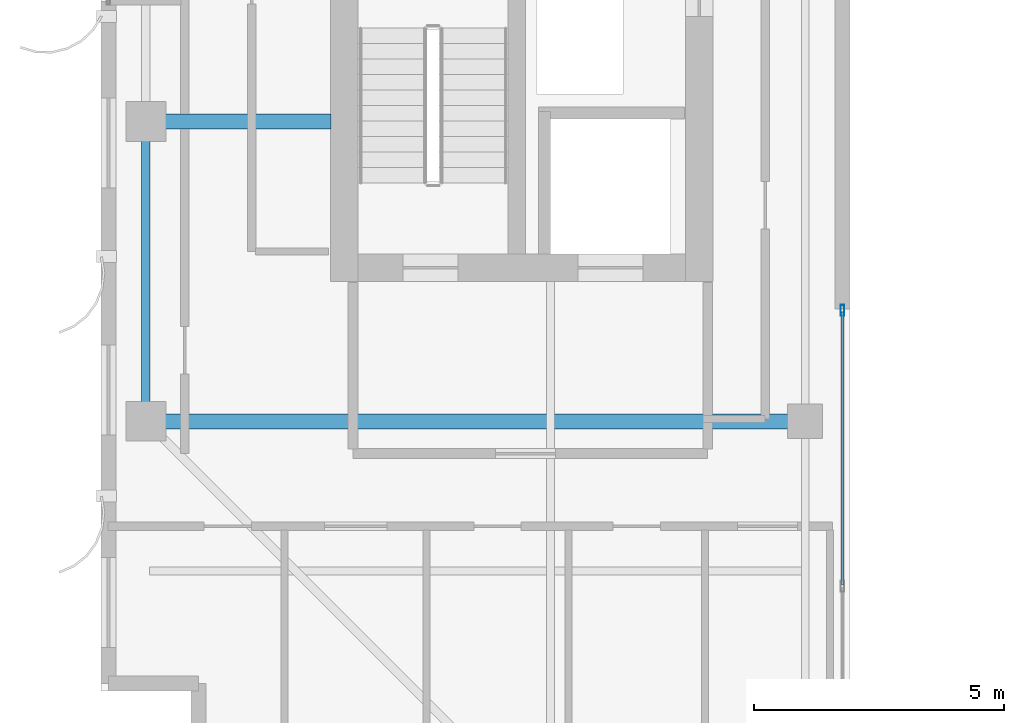
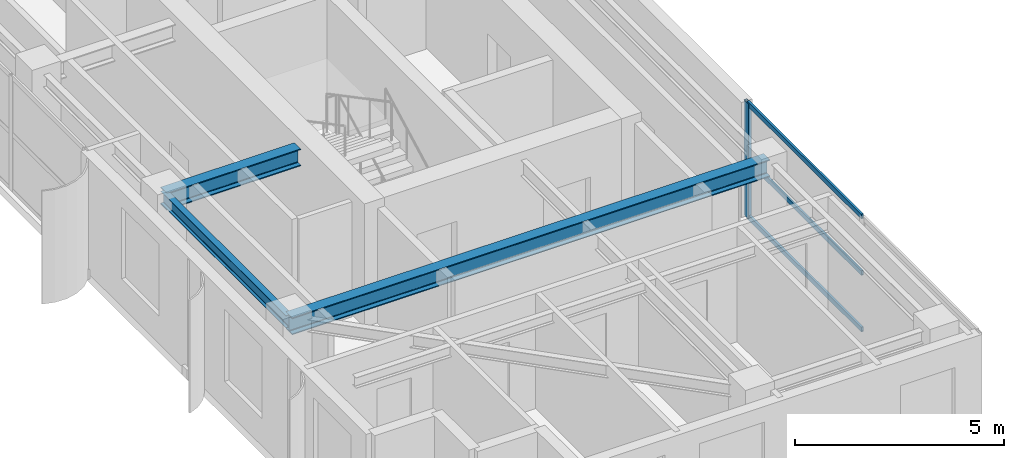
# One storey, part 3 of 23: 4 members, 3 beams, 1 element without a shape of its own.
"""IFC4 building model written with IfcOpenShell, lengths in metres."""

from ifc_helpers import new_model, si_unit, direction, frame, origin, origin_2d, place, context, subcontext, project, spatial, hollow_rectangle, i_section, extrude, source, transform, mapped, material, layer, layer_set, material_profile, profile_set, type_object, element, aggregate, save


model = new_model("IFC4")

# Units and contexts
model_context = context("Model", 3, precision=1e-05, world=origin(), true_north=direction((0.0, 1.0)))
body_context = subcontext(model_context, "Body", "Model", "MODEL_VIEW")
ifc_project = project(units=[si_unit("LENGTHUNIT", "METRE"), si_unit("AREAUNIT", "SQUARE_METRE"), si_unit("VOLUMEUNIT", "CUBIC_METRE"), si_unit("PLANEANGLEUNIT", "RADIAN"), si_unit("MASSUNIT", "GRAM", prefix="KILO")], contexts=[model_context])

# Site, building, storey
site_placement = place(None, origin())
site = spatial("IfcSite", under=ifc_project, at=site_placement, CompositionType="ELEMENT")
building_placement = place(site_placement, origin())
building = spatial("IfcBuilding", under=site, at=building_placement, Name="Khoralis Quay Care Tower", CompositionType="ELEMENT")
storey_placement = place(building_placement, frame((0.0, 0.0, 245.699951171875)))
storey = spatial("IfcBuildingStorey", under=building, at=storey_placement, Name="L64", CompositionType="ELEMENT", Elevation=245.699951171875)

# Beams
ifc_material_1 = material(Name="Steel S355", Category="steel")
ifc_material_profile_1 = material_profile(ifc_material_1, i_section(OverallWidth=0.169921875, OverallDepth=0.360107421875, WebThickness=0.008056640625, FlangeThickness=0.0126953125, FilletRadius=0.01806640625, at=origin_2d()), Name="Steel S355")
ifc_profile_set_1 = profile_set([ifc_material_profile_1], Name="Steel S355")
beam_type_1 = type_object("IfcBeamType", Name="BM-IPE360", PredefinedType="SPANDREL", material=ifc_profile_set_1)
shared_shape_1 = source(origin(), body_context, "Body", "SweptSolid", [
    extrude(i_section(OverallWidth=0.169921875, OverallDepth=0.360107421875, WebThickness=0.008056640625, FlangeThickness=0.0126953125, FilletRadius=0.01806640625, at=origin_2d()), origin(), (0.0, 0.0, 1.0), 6.0),
])
beam_1_placement = place(storey_placement, frame((3.89990234375, 12.0, 3.179931640625), z_axis=(0.0, 1.0, 0.0), x_axis=(-1.0, 0.0, 0.0)))
element("IfcBeam", 1, at=beam_1_placement, inside=storey, type_object=beam_type_1, Name="BM-TSP-L64-05", PredefinedType="SPANDREL", context=body_context, shape_type="MappedRepresentation", body=[
    mapped(shared_shape_1, transform((0.0, 0.0, 0.0), scale=1.0)),
])
ifc_material_profile_2 = material_profile(ifc_material_1, i_section(OverallWidth=0.300048828125, OverallDepth=0.5, WebThickness=0.014404296875, FlangeThickness=0.028076171875, FilletRadius=0.027099609375, at=origin_2d()), Name="Steel S355")
ifc_profile_set_2 = profile_set([ifc_material_profile_2], Name="Steel S355")
beam_type_2 = type_object("IfcBeamType", Name="BM-HEB500", PredefinedType="BEAM", material=ifc_profile_set_2)
shared_shape_2 = source(origin(), body_context, "Body", "SweptSolid", [
    extrude(i_section(OverallWidth=0.300048828125, OverallDepth=0.5, WebThickness=0.014404296875, FlangeThickness=0.028076171875, FilletRadius=0.027099609375, at=origin_2d()), origin(), (0.0, 0.0, 1.0), 13.2001953125),
])
beam_2_placement = place(storey_placement, frame((3.89990234375, 12.0, 3.110107421875), z_axis=(1.0, 0.0, 0.0), x_axis=(0.0, 1.0, 0.0)))
element("IfcBeam", 2, at=beam_2_placement, inside=storey, type_object=beam_type_2, Name="BM-TGXW-L64-120", PredefinedType="BEAM", context=body_context, shape_type="MappedRepresentation", body=[
    mapped(shared_shape_2, transform((0.0, 0.0, 0.0), scale=1.0)),
])
shared_shape_3 = source(origin(), body_context, "Body", "SweptSolid", [
    extrude(i_section(OverallWidth=0.300048828125, OverallDepth=0.5, WebThickness=0.014404296875, FlangeThickness=0.028076171875, FilletRadius=0.027099609375, at=origin_2d()), origin(), (0.0, 0.0, 1.0), 3.7021484375),
])
beam_3_placement = place(storey_placement, frame((3.89990234375, 18.0, 3.110107421875), z_axis=(1.0, 0.0, 0.0), x_axis=(0.0, 1.0, 0.0)))
element("IfcBeam", 3, at=beam_3_placement, inside=storey, type_object=beam_type_2, Name="BM-TGXW-L64-180", PredefinedType="BEAM", context=body_context, shape_type="MappedRepresentation", body=[
    mapped(shared_shape_3, transform((0.0, 0.0, 0.0), scale=1.0)),
])

# Curtain wall, members
ifc_material_2 = material(Name="Pale anodised aluminium", Category="aluminium")
ifc_layer = layer(ifc_material_2, 0.18994140625)
ifc_layer_set = layer_set([ifc_layer], Name="Pale anodised aluminium")
curtain_wall_type = type_object("IfcCurtainWallType", Name="CW-SYS-PORTAL", PredefinedType="NOTDEFINED", material=ifc_layer_set)
curtain_wall_placement = place(storey_placement, origin())
curtain_wall = element("IfcCurtainWall", 4, at=curtain_wall_placement, inside=storey, type_object=curtain_wall_type, Name="L64 Unitised Curtain Wall CW-VP-L64-P1-S", PredefinedType="NOTDEFINED")
ifc_material_profile_3 = material_profile(ifc_material_2, hollow_rectangle(XDim=0.074951171875, YDim=0.219970703125, WallThickness=0.00390625, at=origin_2d()), Name="Pale anodised aluminium")
ifc_profile_set_3 = profile_set([ifc_material_profile_3], Name="Pale anodised aluminium")
member_type_1 = type_object("IfcMemberType", Name="CW-MUL-220", PredefinedType="MULLION", material=ifc_profile_set_3)
shared_shape_4 = source(origin(), body_context, "Body", "SweptSolid", [
    extrude(hollow_rectangle(XDim=0.074951171875, YDim=0.219970703125, WallThickness=0.00390625, at=origin_2d()), origin(), (0.0, 0.0, 1.0), 3.360107421875),
])
member_1_placement = place(storey_placement, frame((17.85009765625, 14.219970703125, 0.0), z_axis=(0.0, 0.0, 1.0), x_axis=(-1.0, 0.0, 0.0)))
member_1 = element("IfcMember", 5, at=member_1_placement, type_object=member_type_1, Name="CW4 mullion 3", PredefinedType="MULLION", context=body_context, shape_type="MappedRepresentation", body=[
    mapped(shared_shape_4, transform((0.0, 0.0, 0.0), scale=1.0)),
])
ifc_material_profile_4 = material_profile(ifc_material_2, hollow_rectangle(XDim=0.06005859375, YDim=0.139892578125, WallThickness=0.00390625, at=origin_2d()), Name="Pale anodised aluminium")
ifc_profile_set_4 = profile_set([ifc_material_profile_4], Name="Pale anodised aluminium")
member_type_2 = type_object("IfcMemberType", Name="CW-TRN-140", PredefinedType="USERDEFINED", material=ifc_profile_set_4)
shared_shape_5 = source(origin(), body_context, "Body", "SweptSolid", [
    extrude(hollow_rectangle(XDim=0.06005859375, YDim=0.139892578125, WallThickness=0.00390625, at=origin_2d()), origin(), (0.0, 0.0, 1.0), 5.4599609375),
])
member_2_placement = place(storey_placement, frame((17.85009765625, 8.72998046875, 0.030029296875), z_axis=(0.0, 1.0, 0.0), x_axis=(-1.0, 0.0, 0.0)))
member_2 = element("IfcMember", 6, at=member_2_placement, type_object=member_type_2, Name="CW4 transom 2.1", ObjectType="TRANSOM", PredefinedType="USERDEFINED", context=body_context, shape_type="MappedRepresentation", body=[
    mapped(shared_shape_5, transform((0.0, 0.0, 0.0), scale=1.0)),
])
member_3_placement = place(storey_placement, frame((17.85009765625, 8.72998046875, 1.679931640625), z_axis=(0.0, 1.0, 0.0), x_axis=(-1.0, 0.0, 0.0)))
member_3 = element("IfcMember", 7, at=member_3_placement, type_object=member_type_2, Name="CW4 transom 2.2", ObjectType="TRANSOM", PredefinedType="USERDEFINED", context=body_context, shape_type="MappedRepresentation", body=[
    mapped(shared_shape_5, transform((0.0, 0.0, 0.0), scale=1.0)),
])
member_4_placement = place(storey_placement, frame((17.85009765625, 8.72998046875, 3.330078125), z_axis=(0.0, 1.0, 0.0), x_axis=(-1.0, 0.0, 0.0)))
member_4 = element("IfcMember", 8, at=member_4_placement, type_object=member_type_2, Name="CW4 transom 2.3", ObjectType="TRANSOM", PredefinedType="USERDEFINED", context=body_context, shape_type="MappedRepresentation", body=[
    mapped(shared_shape_5, transform((0.0, 0.0, 0.0), scale=1.0)),
])
aggregate(curtain_wall, [member_1, member_2, member_3, member_4])

save(model, "model.ifc")
